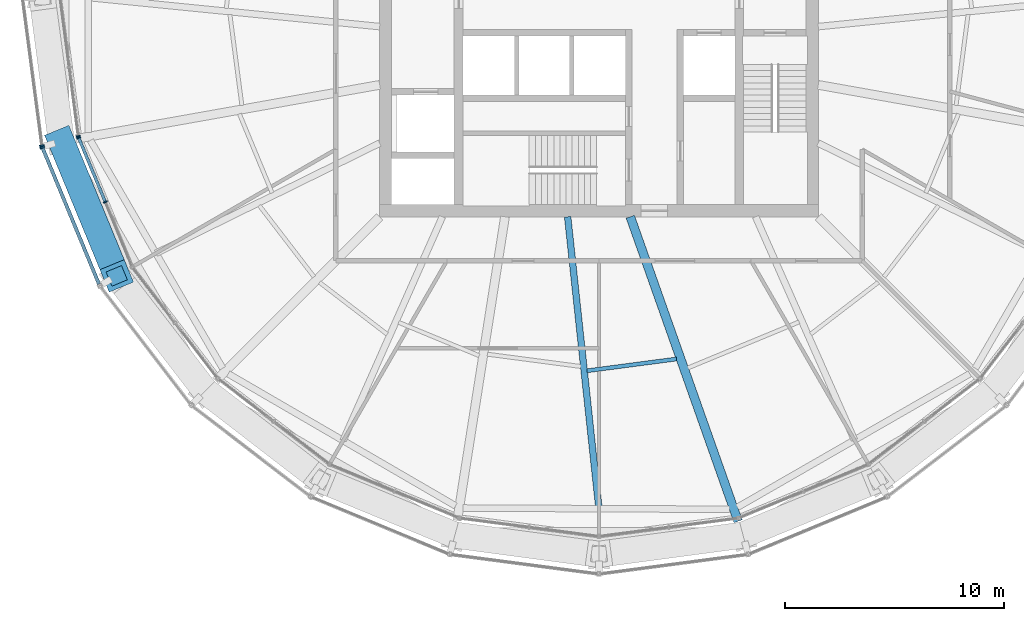
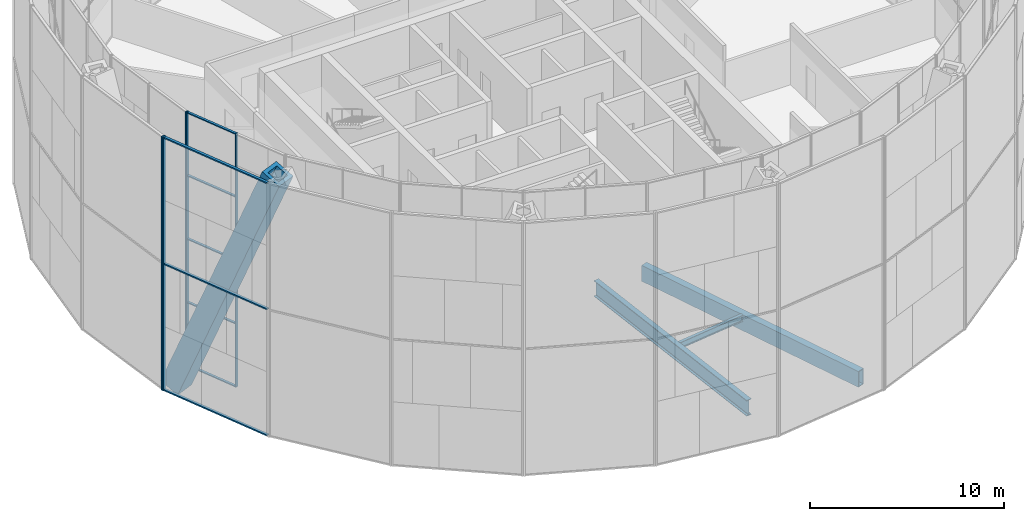
# One storey, part 3 of 30: 14 members, 3 beams, 4 elements without a shape of their own.
"""IFC4 building model written with IfcOpenShell, lengths in metres."""

from ifc_helpers import new_model, si_unit, direction, frame, origin, origin_2d, place, context, subcontext, project, spatial, rectangle, hollow_rectangle, i_section, extrude, material, material_profile, profile_set, type_object, element, aggregate, save


model = new_model("IFC4")

# Units and contexts
model_context = context("Model", 3, precision=1e-05, world=origin(), true_north=direction((0.0, 1.0)))
body_context = subcontext(model_context, "Body", "Model", "MODEL_VIEW")
ifc_project = project(units=[si_unit("LENGTHUNIT", "METRE"), si_unit("AREAUNIT", "SQUARE_METRE"), si_unit("VOLUMEUNIT", "CUBIC_METRE"), si_unit("PLANEANGLEUNIT", "RADIAN"), si_unit("MASSUNIT", "GRAM", prefix="KILO")], contexts=[model_context])

# Site, building, storey
site_placement = place(None, origin())
site = spatial("IfcSite", under=ifc_project, at=site_placement, CompositionType="ELEMENT")
building_placement = place(site_placement, origin())
building = spatial("IfcBuilding", under=site, at=building_placement, Name="Golbaran Civic Tower", CompositionType="ELEMENT")
storey_placement = place(building_placement, frame((0.0, 0.0, 102.0)))
storey = spatial("IfcBuildingStorey", under=building, at=storey_placement, Name="L24", CompositionType="ELEMENT", Elevation=102.0)

# Member
ifc_material_1 = material(Name="Steel S355", Category="steel")
ifc_material_profile_1 = material_profile(ifc_material_1, hollow_rectangle(XDim=1.199951171875, YDim=1.199951171875, WallThickness=0.219970703125, at=origin_2d()), Name="BOX 1200x1200x220")
ifc_profile_set_1 = profile_set([ifc_material_profile_1], Name="Steel S355")
member_type_1 = type_object("IfcMemberType", Name="DIAGRID DIAGONAL BOX 1200x1200x220", PredefinedType="BRACE", material=ifc_profile_set_1)
member_1_placement = place(storey_placement, frame((-24.51611328125, -6.569091796875, -0.7099609375), z_axis=(0.145808380158, -0.353814050585, 0.923880692451), x_axis=(0.924567435583, 0.381018447137, 0.0)))
element("IfcMember", 1, at=member_1_placement, inside=storey, type_object=member_type_1, Name="Diagonal D05-06R L24-L28", PredefinedType="BRACE", context=body_context, shape_type="SweptSolid", body=[
    extrude(hollow_rectangle(XDim=1.199951171875, YDim=1.199951171875, WallThickness=0.219970703125, at=origin_2d()), origin(), (0.0, 0.0, 1.0), 17.318359375),
])

# Beam
ifc_material_profile_2 = material_profile(ifc_material_1, i_section(OverallWidth=0.179931640625, OverallDepth=0.39990234375, WebThickness=0.008544921875, FlangeThickness=0.013427734375, FilletRadius=0.02099609375, at=origin_2d()), Name="IPE 400")
ifc_profile_set_2 = profile_set([ifc_material_profile_2], Name="Steel S355")
beam_type_1 = type_object("IfcBeamType", Name="FLOOR INFILL BEAM IPE 400", PredefinedType="BEAM", material=ifc_profile_set_2)
beam_1_placement = place(storey_placement, frame((-0.544189453125, -17.023193359375, -0.39990234375), z_axis=(0.99144884107, 0.130495959868, 0.0), x_axis=(-0.130495959868, 0.99144884107, 0.0)))
element("IfcBeam", 2, at=beam_1_placement, inside=storey, type_object=beam_type_1, Name="Infill beam 277.50 L24", PredefinedType="BEAM", context=body_context, shape_type="SweptSolid", body=[
    extrude(i_section(OverallWidth=0.179931640625, OverallDepth=0.39990234375, WebThickness=0.008544921875, FlangeThickness=0.013427734375, FilletRadius=0.02099609375, at=origin_2d()), origin(), (0.0, 0.0, 1.0), 4.114013671875),
])

# Curtain wall, member
ifc_material_2 = material(Name="Aluminium and glass", Category="aluminium")
curtain_wall_type_1 = type_object("IfcCurtainWallType", Name="INNER SKIN CURTAIN WALL", PredefinedType="NOTDEFINED", material=ifc_material_2)
curtain_wall_1_placement = place(storey_placement, origin())
curtain_wall_1 = element("IfcCurtainWall", 3, at=curtain_wall_1_placement, inside=storey, type_object=curtain_wall_type_1, Name="Inner skin L24 facet 13 CW1", ObjectType="INNER SKIN", PredefinedType="USERDEFINED")
ifc_material_3 = material(Name="Aluminium", Category="aluminium")
ifc_material_profile_3 = material_profile(ifc_material_3, rectangle(XDim=0.179931640625, YDim=0.06494140625, at=origin_2d()), Name="INNER SKIN CURTAIN WALL MULLION")
ifc_profile_set_3 = profile_set([ifc_material_profile_3], Name="Aluminium")
member_type_2 = type_object("IfcMemberType", Name="INNER SKIN CURTAIN WALL MULLION", PredefinedType="MULLION", material=ifc_profile_set_3)
member_2_placement = place(storey_placement, frame((-23.744873046875, -6.3291015625, 0.0), z_axis=(0.0, 0.0, 1.0), x_axis=(0.991444861385, 0.130526192134, 0.0)))
member_2 = element("IfcMember", 4, at=member_2_placement, type_object=member_type_2, Name="CW1 mullion 3", PredefinedType="MULLION", context=body_context, shape_type="SweptSolid", body=[
    extrude(rectangle(XDim=0.179931640625, YDim=0.06494140625, at=origin_2d()), origin(), (0.0, 0.0, 1.0), 16.0),
])
aggregate(curtain_wall_1, [member_2])

# Curtain wall, members
curtain_wall_2_placement = place(storey_placement, origin())
curtain_wall_2 = element("IfcCurtainWall", 5, at=curtain_wall_2_placement, inside=storey, type_object=curtain_wall_type_1, Name="Inner skin L24 facet 14 CW1", ObjectType="INNER SKIN", PredefinedType="USERDEFINED")
member_3_placement = place(storey_placement, frame((-23.72802734375, -6.391357421875, 0.0), z_axis=(0.0, 0.0, 1.0), x_axis=(0.923879532465, 0.382683432478, 0.0)))
member_3 = element("IfcMember", 6, at=member_3_placement, type_object=member_type_2, Name="CW1 mullion 1", PredefinedType="MULLION", context=body_context, shape_type="SweptSolid", body=[
    extrude(rectangle(XDim=0.179931640625, YDim=0.06494140625, at=origin_2d()), origin(), (0.0, 0.0, 1.0), 16.0),
])
member_4_placement = place(storey_placement, frame((-22.512939453125, -9.3251953125, 0.0), z_axis=(0.0, 0.0, 1.0), x_axis=(0.923879532465, 0.382683432478, 0.0)))
member_4 = element("IfcMember", 7, at=member_4_placement, type_object=member_type_2, Name="CW1 mullion 2", PredefinedType="MULLION", context=body_context, shape_type="SweptSolid", body=[
    extrude(rectangle(XDim=0.179931640625, YDim=0.06494140625, at=origin_2d()), origin(), (0.0, 0.0, 1.0), 16.0),
])
ifc_material_profile_4 = material_profile(ifc_material_3, rectangle(XDim=0.139892578125, YDim=0.06494140625, at=origin_2d()), Name="INNER SKIN CURTAIN WALL TRANSOM")
ifc_profile_set_4 = profile_set([ifc_material_profile_4], Name="Aluminium")
member_type_3 = type_object("IfcMemberType", Name="INNER SKIN CURTAIN WALL TRANSOM", PredefinedType="USERDEFINED", material=ifc_profile_set_4)
member_5_placement = place(storey_placement, frame((-23.715576171875, -6.42138671875, 0.032470703125), z_axis=(0.382636009992, -0.923899174075, 0.0), x_axis=(0.923899174075, 0.382636009992, 0.0)))
member_5 = element("IfcMember", 8, at=member_5_placement, type_object=member_type_3, Name="CW1 transom 1.1", ObjectType="TRANSOM", PredefinedType="USERDEFINED", context=body_context, shape_type="SweptSolid", body=[
    extrude(rectangle(XDim=0.139892578125, YDim=0.06494140625, at=origin_2d()), origin(), (0.0, 0.0, 1.0), 3.110595703125),
])
member_6_placement = place(storey_placement, frame((-23.715576171875, -6.42138671875, 4.0), z_axis=(0.382636009992, -0.923899174075, 0.0), x_axis=(0.923899174075, 0.382636009992, 0.0)))
member_6 = element("IfcMember", 9, at=member_6_placement, type_object=member_type_3, Name="CW1 transom 1.2", ObjectType="TRANSOM", PredefinedType="USERDEFINED", context=body_context, shape_type="SweptSolid", body=[
    extrude(rectangle(XDim=0.139892578125, YDim=0.06494140625, at=origin_2d()), origin(), (0.0, 0.0, 1.0), 3.110595703125),
])
member_7_placement = place(storey_placement, frame((-23.715576171875, -6.42138671875, 8.0), z_axis=(0.382636009992, -0.923899174075, 0.0), x_axis=(0.923899174075, 0.382636009992, 0.0)))
member_7 = element("IfcMember", 10, at=member_7_placement, type_object=member_type_3, Name="CW1 transom 1.3", ObjectType="TRANSOM", PredefinedType="USERDEFINED", context=body_context, shape_type="SweptSolid", body=[
    extrude(rectangle(XDim=0.139892578125, YDim=0.06494140625, at=origin_2d()), origin(), (0.0, 0.0, 1.0), 3.110595703125),
])
member_8_placement = place(storey_placement, frame((-23.715576171875, -6.42138671875, 12.0), z_axis=(0.382636009992, -0.923899174075, 0.0), x_axis=(0.923899174075, 0.382636009992, 0.0)))
member_8 = element("IfcMember", 11, at=member_8_placement, type_object=member_type_3, Name="CW1 transom 1.4", ObjectType="TRANSOM", PredefinedType="USERDEFINED", context=body_context, shape_type="SweptSolid", body=[
    extrude(rectangle(XDim=0.139892578125, YDim=0.06494140625, at=origin_2d()), origin(), (0.0, 0.0, 1.0), 3.110595703125),
])
member_9_placement = place(storey_placement, frame((-23.715576171875, -6.42138671875, 15.967529296875), z_axis=(0.382636009992, -0.923899174075, 0.0), x_axis=(0.923899174075, 0.382636009992, 0.0)))
member_9 = element("IfcMember", 12, at=member_9_placement, type_object=member_type_3, Name="CW1 transom 1.5", ObjectType="TRANSOM", PredefinedType="USERDEFINED", context=body_context, shape_type="SweptSolid", body=[
    extrude(rectangle(XDim=0.139892578125, YDim=0.06494140625, at=origin_2d()), origin(), (0.0, 0.0, 1.0), 3.110595703125),
])
aggregate(curtain_wall_2, [member_3, member_4, member_5, member_6, member_7, member_8, member_9])

# Curtain wall, member
curtain_wall_type_2 = type_object("IfcCurtainWallType", Name="OUTER SKIN TERRACOTTA SCREEN", PredefinedType="NOTDEFINED", material=ifc_material_2)
curtain_wall_3_placement = place(storey_placement, origin())
curtain_wall_3 = element("IfcCurtainWall", 13, at=curtain_wall_3_placement, inside=storey, type_object=curtain_wall_type_2, Name="Outer skin L24 facet 13 CW3", ObjectType="OUTER SKIN", PredefinedType="USERDEFINED")
ifc_material_profile_5 = material_profile(ifc_material_3, rectangle(XDim=0.219970703125, YDim=0.080078125, at=origin_2d()), Name="OUTER SKIN TERRACOTTA SCREEN MULLION")
ifc_profile_set_5 = profile_set([ifc_material_profile_5], Name="Aluminium")
member_type_4 = type_object("IfcMemberType", Name="OUTER SKIN TERRACOTTA SCREEN MULLION", PredefinedType="MULLION", material=ifc_profile_set_5)
member_10_placement = place(storey_placement, frame((-25.40234375, -6.765380859375, -0.7099609375), z_axis=(0.0, 0.0, 1.0), x_axis=(0.991444861381, 0.130526192168, 0.0)))
member_10 = element("IfcMember", 14, at=member_10_placement, type_object=member_type_4, Name="CW3 mullion 2", PredefinedType="MULLION", context=body_context, shape_type="SweptSolid", body=[
    extrude(rectangle(XDim=0.219970703125, YDim=0.080078125, at=origin_2d()), origin(), (0.0, 0.0, 1.0), 16.0),
])
aggregate(curtain_wall_3, [member_10])

# Curtain wall, members
curtain_wall_4_placement = place(storey_placement, origin())
curtain_wall_4 = element("IfcCurtainWall", 15, at=curtain_wall_4_placement, inside=storey, type_object=curtain_wall_type_2, Name="Outer skin L24 facet 14 CW3", ObjectType="OUTER SKIN", PredefinedType="USERDEFINED")
member_11_placement = place(storey_placement, frame((-25.3818359375, -6.842041015625, -0.7099609375), z_axis=(0.0, 0.0, 1.0), x_axis=(0.923879532505, 0.382683432381, 0.0)))
member_11 = element("IfcMember", 16, at=member_11_placement, type_object=member_type_4, Name="CW3 mullion 1", PredefinedType="MULLION", context=body_context, shape_type="SweptSolid", body=[
    extrude(rectangle(XDim=0.219970703125, YDim=0.080078125, at=origin_2d()), origin(), (0.0, 0.0, 1.0), 16.0),
])
ifc_material_profile_6 = material_profile(ifc_material_3, rectangle(XDim=0.159912109375, YDim=0.080078125, at=origin_2d()), Name="OUTER SKIN TERRACOTTA SCREEN TRANSOM")
ifc_profile_set_6 = profile_set([ifc_material_profile_6], Name="Aluminium")
member_type_5 = type_object("IfcMemberType", Name="OUTER SKIN TERRACOTTA SCREEN TRANSOM", PredefinedType="USERDEFINED", material=ifc_profile_set_6)
member_12_placement = place(storey_placement, frame((-25.366455078125, -6.879150390625, -0.669921875), z_axis=(0.382690592899, -0.923876566489, 0.0), x_axis=(0.923876566489, 0.382690592899, 0.0)))
member_12 = element("IfcMember", 17, at=member_12_placement, type_object=member_type_5, Name="CW3 transom 1.1", ObjectType="TRANSOM", PredefinedType="USERDEFINED", context=body_context, shape_type="SweptSolid", body=[
    extrude(rectangle(XDim=0.159912109375, YDim=0.080078125, at=origin_2d()), origin(), (0.0, 0.0, 1.0), 6.70361328125),
])
member_13_placement = place(storey_placement, frame((-25.366455078125, -6.879150390625, 7.2900390625), z_axis=(0.382690592899, -0.923876566489, 0.0), x_axis=(0.923876566489, 0.382690592899, 0.0)))
member_13 = element("IfcMember", 18, at=member_13_placement, type_object=member_type_5, Name="CW3 transom 1.2", ObjectType="TRANSOM", PredefinedType="USERDEFINED", context=body_context, shape_type="SweptSolid", body=[
    extrude(rectangle(XDim=0.159912109375, YDim=0.080078125, at=origin_2d()), origin(), (0.0, 0.0, 1.0), 6.70361328125),
])
member_14_placement = place(storey_placement, frame((-25.366455078125, -6.879150390625, 15.25), z_axis=(0.382690592899, -0.923876566489, 0.0), x_axis=(0.923876566489, 0.382690592899, 0.0)))
member_14 = element("IfcMember", 19, at=member_14_placement, type_object=member_type_5, Name="CW3 transom 1.3", ObjectType="TRANSOM", PredefinedType="USERDEFINED", context=body_context, shape_type="SweptSolid", body=[
    extrude(rectangle(XDim=0.159912109375, YDim=0.080078125, at=origin_2d()), origin(), (0.0, 0.0, 1.0), 6.70361328125),
])
aggregate(curtain_wall_4, [member_11, member_12, member_13, member_14])

# Beams
ifc_material_profile_7 = material_profile(ifc_material_1, hollow_rectangle(XDim=0.39990234375, YDim=1.0, WallThickness=0.0400390625, at=origin_2d()), Name="BOX 1000x400x40")
ifc_profile_set_7 = profile_set([ifc_material_profile_7], Name="Steel S355")
beam_type_2 = type_object("IfcBeamType", Name="RADIAL FLOOR BEAM BOX 1000x400x40", PredefinedType="BEAM", material=ifc_profile_set_7)
beam_2_placement = place(storey_placement, frame((1.428466796875, -10.0, -0.7099609375), z_axis=(0.333813395232, -0.942639176548, 0.0), x_axis=(0.942639176548, 0.333813395232, 0.0)))
element("IfcBeam", 20, at=beam_2_placement, inside=storey, type_object=beam_type_2, Name="Radial beam 285.00 L24", PredefinedType="BEAM", context=body_context, shape_type="SweptSolid", body=[
    extrude(hollow_rectangle(XDim=0.39990234375, YDim=1.0, WallThickness=0.0400390625, at=origin_2d()), origin(), (0.0, 0.0, 1.0), 14.731201171875),
])
ifc_material_profile_8 = material_profile(ifc_material_1, i_section(OverallWidth=0.300048828125, OverallDepth=1.0, WebThickness=0.01904296875, FlangeThickness=0.035888671875, FilletRadius=0.030029296875, at=origin_2d()), Name="HEB 1000")
ifc_profile_set_8 = profile_set([ifc_material_profile_8], Name="Steel S355")
beam_type_3 = type_object("IfcBeamType", Name="SECONDARY FLOOR BEAM HEB 1000", PredefinedType="BEAM", material=ifc_profile_set_8)
beam_3_placement = place(storey_placement, frame((-1.428466796875, -10.0, -0.7099609375), z_axis=(0.106701827077, -0.994291064074, 0.0), x_axis=(0.994291064074, 0.106701827077, 0.0)))
element("IfcBeam", 21, at=beam_3_placement, inside=storey, type_object=beam_type_3, Name="Secondary beam 270.00 L24", PredefinedType="BEAM", context=body_context, shape_type="SweptSolid", body=[
    extrude(i_section(OverallWidth=0.300048828125, OverallDepth=1.0, WebThickness=0.01904296875, FlangeThickness=0.035888671875, FilletRadius=0.030029296875, at=origin_2d()), origin(), (0.0, 0.0, 1.0), 13.387451171875),
])

save(model, "model.ifc")
